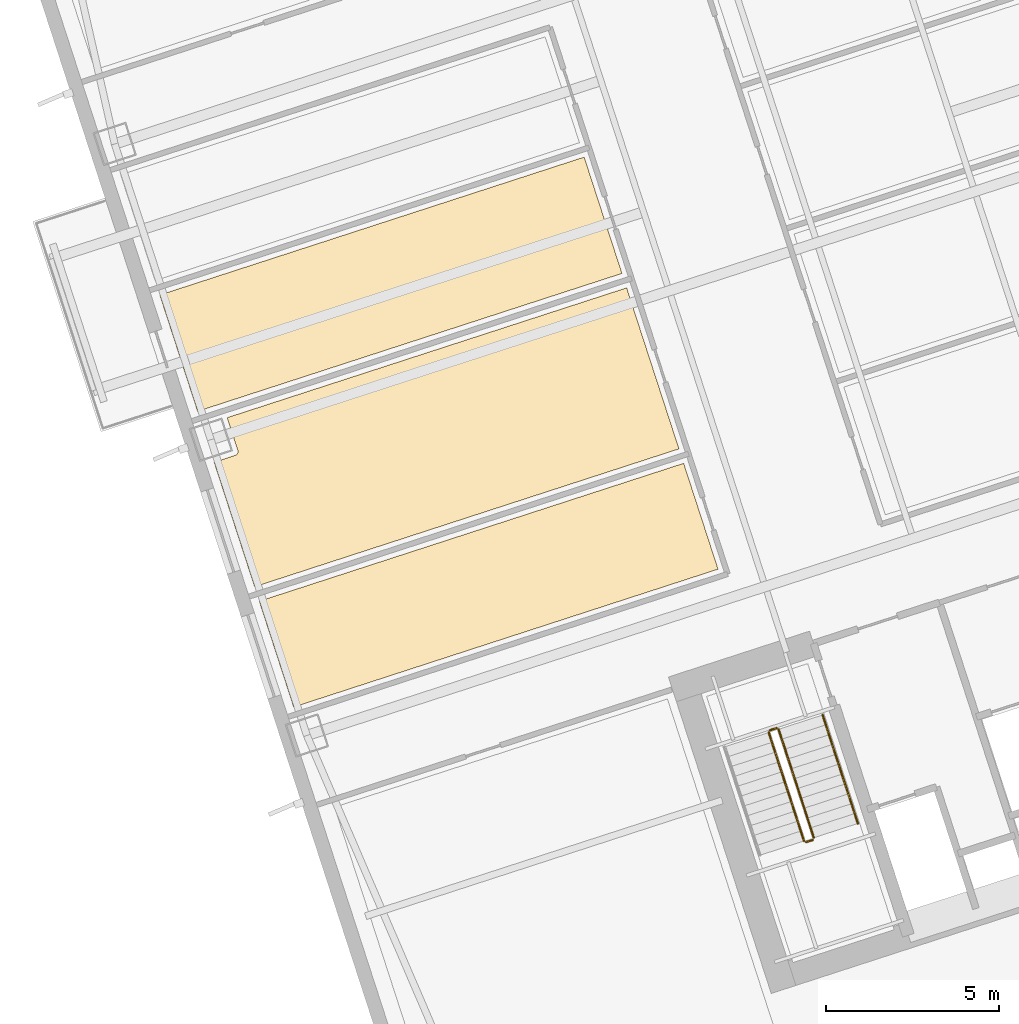
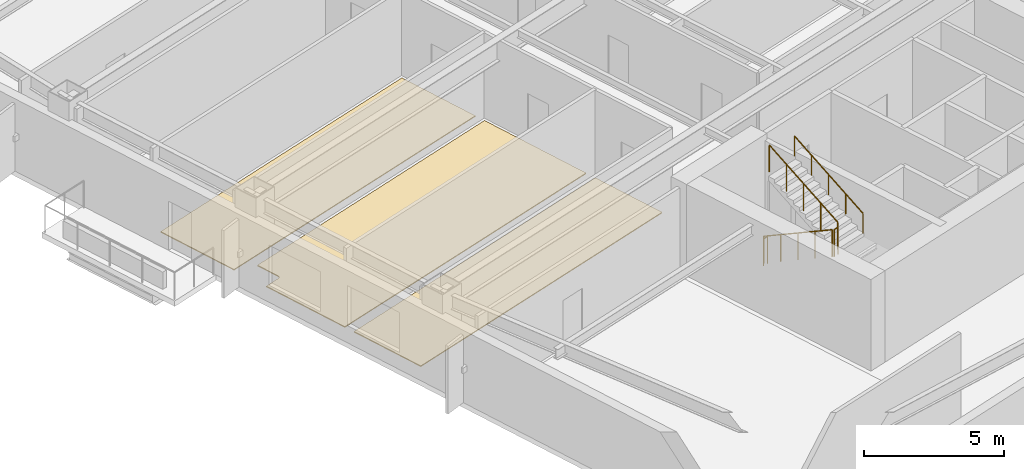
# One storey, part 18 of 21: 5 railings, 3 coverings.
"""IFC4 building model written with IfcOpenShell, lengths in metres."""

from ifc_helpers import new_model, si_unit, direction, frame, origin, origin_2d, place, context, subcontext, project, spatial, polyline, circle, outline, extrude, material, layer, layer_set, type_object, element, save


model = new_model("IFC4")

# Units and contexts
model_context = context("Model", 3, precision=1e-05, world=origin(), true_north=direction((0.0, 1.0)))
body_context = subcontext(model_context, "Body", "Model", "MODEL_VIEW")
ifc_project = project(units=[si_unit("LENGTHUNIT", "METRE"), si_unit("AREAUNIT", "SQUARE_METRE"), si_unit("VOLUMEUNIT", "CUBIC_METRE"), si_unit("PLANEANGLEUNIT", "RADIAN"), si_unit("MASSUNIT", "GRAM", prefix="KILO")], contexts=[model_context])

# Site, building, storey
site_placement = place(None, origin())
site = spatial("IfcSite", under=ifc_project, at=site_placement, CompositionType="ELEMENT")
building_placement = place(site_placement, origin())
building = spatial("IfcBuilding", under=site, at=building_placement, Name="Qiaolan Cultural Towers", CompositionType="ELEMENT")
storey_placement = place(building_placement, frame((0.0, 0.0, 34.0)))
storey = spatial("IfcBuildingStorey", under=building, at=storey_placement, Name="L07", CompositionType="ELEMENT", Elevation=34.0)

# Coverings
ifc_material_1 = material(Name="Honed Terrazzo & Raised Access Flooring", Category="concrete")
ifc_layer = layer(ifc_material_1, 0.0400390625)
ifc_layer_set = layer_set([ifc_layer], Name="Honed Terrazzo & Raised Access Flooring")
covering_type = type_object("IfcCoveringType", Name="COV-FLR-STONE", PredefinedType="FLOORING", material=ifc_layer_set)
covering_1_placement = place(storey_placement, origin())
element("IfcCovering", 1, at=covering_1_placement, inside=storey, type_object=covering_type, Name="L07 Gallery Exhibition Room Finish Flooring", PredefinedType="FLOORING", context=body_context, shape_type="SweptSolid", body=[
    extrude(outline(polyline([(87.13427734375, 24.552001953125), (86.13916015625, 27.615234375), (73.856201171875, 23.624267578125), (74.851318359375, 20.56103515625), (87.13427734375, 24.552001953125)])), origin(), (0.0, 0.0, 1.0), 0.0400390625),
])
covering_2_placement = place(storey_placement, origin())
element("IfcCovering", 2, at=covering_2_placement, inside=storey, type_object=covering_type, Name="L07 Curatorial Office Finish Flooring", PredefinedType="FLOORING", context=body_context, shape_type="SweptSolid", body=[
    extrude(outline(polyline([(73.23486328125, 27.995361328125), (73.238037109375, 27.984130859375), (73.239990234375, 27.972412109375), (73.24072265625, 27.960693359375), (73.240478515625, 27.948974609375), (73.239013671875, 27.937255859375), (73.236328125, 27.92578125), (73.232666015625, 27.91455078125), (73.227783203125, 27.90380859375), (73.221923828125, 27.8935546875), (73.215087890625, 27.884033203125), (73.207275390625, 27.875244140625), (73.19873046875, 27.8671875), (73.189453125, 27.85986328125), (73.179443359375, 27.853759765625), (73.1689453125, 27.848388671875), (73.157958984375, 27.84423828125), (72.54931640625, 27.646484375), (73.72021484375, 24.042724609375), (86.003173828125, 28.03369140625), (84.4892578125, 32.693115234375), (72.928955078125, 28.93701171875), (73.23486328125, 27.995361328125)])), origin(), (0.0, 0.0, 1.0), 0.0400390625),
])
covering_3_placement = place(storey_placement, origin())
element("IfcCovering", 3, at=covering_3_placement, inside=storey, type_object=covering_type, Name="L07 Conservation Studio Finish Flooring", PredefinedType="FLOORING", context=body_context, shape_type="SweptSolid", body=[
    extrude(outline(polyline([(84.353271484375, 33.111572265625), (83.259521484375, 36.4775390625), (70.9765625, 32.486572265625), (72.0703125, 29.12060546875), (84.353271484375, 33.111572265625)])), origin(), (0.0, 0.0, 1.0), 0.0400390625),
])

# Railings
ifc_material_2 = material(Name="Galvanized Painted Steel Stair Guardrail", Category="steel")
railing_type_1 = type_object("IfcRailingType", Name="RL-STAIR-GRD", PredefinedType="GUARDRAIL", material=ifc_material_2)
railing_1_placement = place(storey_placement, frame((88.60205078125, 19.82421875, 0.166748046875)))
element("IfcRailing", 4, at=railing_1_placement, inside=storey, type_object=railing_type_1, Name="L07 ST-E1 stair guard 1", PredefinedType="GUARDRAIL", context=body_context, shape_type="SweptSolid", body=[
    extrude(circle(Radius=0.02392578125, at=origin_2d()), frame((0.0, 0.0, 1.17578125), z_axis=(0.270140520196, -0.831375721119, 0.485632072336), x_axis=(0.951053095941, 0.309027520945, 0.0)), (0.0, 0.0, 1.0), 3.77490234375),
    extrude(circle(Radius=0.02099609375, at=origin_2d()), origin(), (0.0, 0.0, 1.0), 1.15185546875),
    extrude(circle(Radius=0.02099609375, at=origin_2d()), frame((0.2548828125, -0.78466796875, 0.458251953125)), (0.0, 0.0, 1.0), 1.15185546875),
    extrude(circle(Radius=0.02099609375, at=origin_2d()), frame((0.509765625, -1.5693359375, 0.91650390625)), (0.0, 0.0, 1.0), 1.15185546875),
    extrude(circle(Radius=0.02099609375, at=origin_2d()), frame((0.764892578125, -2.353759765625, 1.375)), (0.0, 0.0, 1.0), 1.15185546875),
    extrude(circle(Radius=0.02099609375, at=origin_2d()), frame((1.019775390625, -3.138427734375, 1.833251953125)), (0.0, 0.0, 1.0), 1.15185546875),
])
railing_2_placement = place(storey_placement, frame((89.684814453125, 16.653564453125, 2.0)))
element("IfcRailing", 5, at=railing_2_placement, inside=storey, type_object=railing_type_1, Name="L07 ST-E1 stair guard 2", PredefinedType="GUARDRAIL", context=body_context, shape_type="SweptSolid", body=[
    extrude(circle(Radius=0.02392578125, at=origin_2d()), frame((0.0, 0.0, 1.17578125), z_axis=(0.951096855055, 0.308892816854, 0.0), x_axis=(-0.308892816854, 0.951096855055, 0.0)), (0.0, 0.0, 1.0), 0.199951171875),
    extrude(circle(Radius=0.02099609375, at=origin_2d()), origin(), (0.0, 0.0, 1.0), 1.15185546875),
    extrude(circle(Radius=0.02099609375, at=origin_2d()), frame((0.190185546875, 0.061767578125, 0.0)), (0.0, 0.0, 1.0), 1.15185546875),
])
railing_3_placement = place(storey_placement, frame((89.9072265625, 16.778564453125, 2.166748046875)))
element("IfcRailing", 6, at=railing_3_placement, inside=storey, type_object=railing_type_1, Name="L07 ST-E1 stair guard 3", PredefinedType="GUARDRAIL", context=body_context, shape_type="SweptSolid", body=[
    extrude(circle(Radius=0.02392578125, at=origin_2d()), frame((0.0, 0.0, 1.17578125), z_axis=(-0.270140520196, 0.831375721119, 0.485632072336), x_axis=(-0.951053095941, -0.309027520945, 0.0)), (0.0, 0.0, 1.0), 3.77490234375),
    extrude(circle(Radius=0.02099609375, at=origin_2d()), origin(), (0.0, 0.0, 1.0), 1.15185546875),
    extrude(circle(Radius=0.02099609375, at=origin_2d()), frame((-0.2548828125, 0.78466796875, 0.458251953125)), (0.0, 0.0, 1.0), 1.15185546875),
    extrude(circle(Radius=0.02099609375, at=origin_2d()), frame((-0.509765625, 1.5693359375, 0.91650390625)), (0.0, 0.0, 1.0), 1.15185546875),
    extrude(circle(Radius=0.02099609375, at=origin_2d()), frame((-0.764892578125, 2.353759765625, 1.375)), (0.0, 0.0, 1.0), 1.15185546875),
    extrude(circle(Radius=0.02099609375, at=origin_2d()), frame((-1.019775390625, 3.138427734375, 1.833251953125)), (0.0, 0.0, 1.0), 1.15185546875),
])
railing_4_placement = place(storey_placement, frame((88.63427734375, 19.88720703125, 0.0)))
element("IfcRailing", 7, at=railing_4_placement, inside=storey, type_object=railing_type_1, Name="L07 ST-E1 stair guard 4", PredefinedType="GUARDRAIL", context=body_context, shape_type="SweptSolid", body=[
    extrude(circle(Radius=0.02392578125, at=origin_2d()), frame((0.0, 0.0, 1.17578125), z_axis=(0.951096855055, 0.308892816854, 0.0), x_axis=(-0.308892816854, 0.951096855055, 0.0)), (0.0, 0.0, 1.0), 0.199951171875),
    extrude(circle(Radius=0.02099609375, at=origin_2d()), origin(), (0.0, 0.0, 1.0), 1.15185546875),
    extrude(circle(Radius=0.02099609375, at=origin_2d()), frame((0.190185546875, 0.061767578125, 0.0)), (0.0, 0.0, 1.0), 1.15185546875),
])
ifc_material_3 = material(Name="Stainless Steel S30408 Tubular Handrail", Category="steel")
railing_type_2 = type_object("IfcRailingType", Name="RL-STAIR-HR", PredefinedType="HANDRAIL", material=ifc_material_3)
railing_5_placement = place(storey_placement, frame((91.181640625, 17.192626953125, 2.166748046875)))
element("IfcRailing", 8, at=railing_5_placement, inside=storey, type_object=railing_type_2, Name="L07 ST-E1 stair handrail 2", PredefinedType="HANDRAIL", context=body_context, shape_type="SweptSolid", body=[
    extrude(circle(Radius=0.02392578125, at=origin_2d()), frame((0.0, 0.0, 0.8759765625), z_axis=(-0.270140520196, 0.831375721119, 0.485632072336), x_axis=(-0.951053095941, -0.309027520945, 0.0)), (0.0, 0.0, 1.0), 3.77490234375),
    extrude(circle(Radius=0.02099609375, at=origin_2d()), origin(), (0.0, 0.0, 1.0), 0.851806640625),
    extrude(circle(Radius=0.02099609375, at=origin_2d()), frame((-0.2548828125, 0.78466796875, 0.458251953125)), (0.0, 0.0, 1.0), 0.851806640625),
    extrude(circle(Radius=0.02099609375, at=origin_2d()), frame((-0.509765625, 1.5693359375, 0.91650390625)), (0.0, 0.0, 1.0), 0.851806640625),
    extrude(circle(Radius=0.02099609375, at=origin_2d()), frame((-0.764892578125, 2.353759765625, 1.375)), (0.0, 0.0, 1.0), 0.851806640625),
    extrude(circle(Radius=0.02099609375, at=origin_2d()), frame((-1.019775390625, 3.138427734375, 1.833251953125)), (0.0, 0.0, 1.0), 0.851806640625),
])

save(model, "model.ifc")
